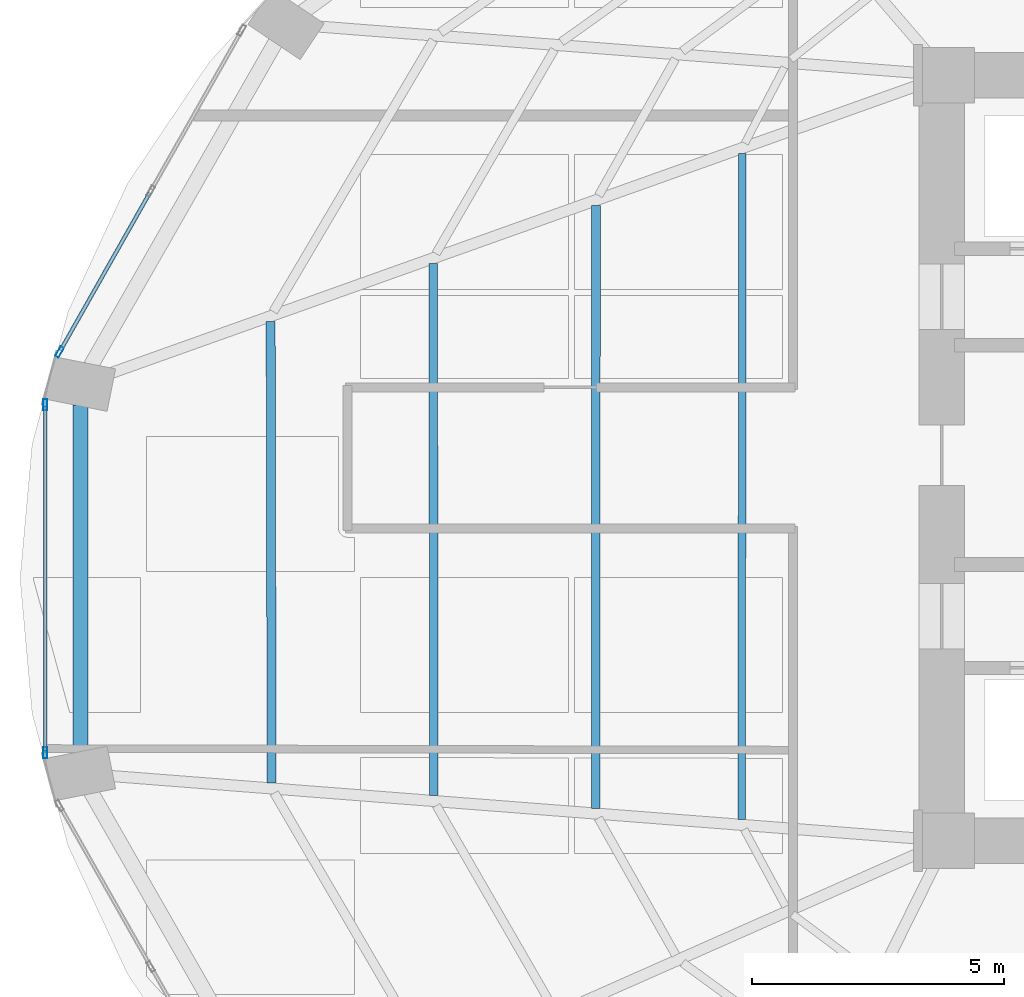
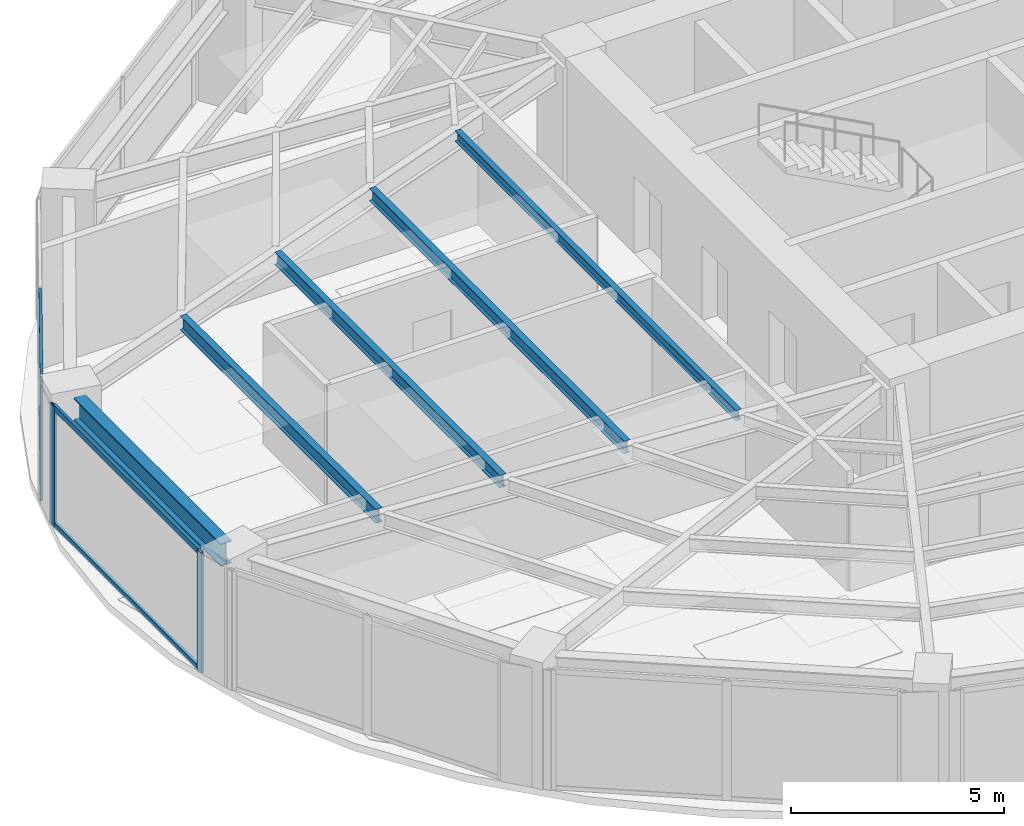
# One storey, part 7 of 24: 7 members, 5 beams, 2 elements without a shape of their own.
"""IFC4 building model written with IfcOpenShell, lengths in metres."""

from ifc_helpers import new_model, si_unit, direction, frame, origin, origin_2d, place, context, subcontext, project, spatial, hollow_rectangle, i_section, extrude, material, layer, layer_set, material_profile, profile_set, type_object, element, aggregate, save


model = new_model("IFC4")

# Units and contexts
model_context = context("Model", 3, precision=1e-05, world=origin(), true_north=direction((0.0, 1.0)))
body_context = subcontext(model_context, "Body", "Model", "MODEL_VIEW")
ifc_project = project(units=[si_unit("LENGTHUNIT", "METRE"), si_unit("AREAUNIT", "SQUARE_METRE"), si_unit("VOLUMEUNIT", "CUBIC_METRE"), si_unit("PLANEANGLEUNIT", "RADIAN"), si_unit("MASSUNIT", "GRAM", prefix="KILO")], contexts=[model_context])

# Site, building, storey
site_placement = place(None, origin())
site = spatial("IfcSite", under=ifc_project, at=site_placement, CompositionType="ELEMENT")
building_placement = place(site_placement, origin())
building = spatial("IfcBuilding", under=site, at=building_placement, Name="Lazwardi Medical Tower", CompositionType="ELEMENT")
storey_placement = place(building_placement, frame((0.0, 0.0, 58.031982421875)))
storey = spatial("IfcBuildingStorey", under=building, at=storey_placement, Name="L14", CompositionType="ELEMENT", Elevation=58.031982421875)

# Beams
ifc_material_1 = material(Name="Steel S355", Category="steel")
ifc_material_profile_1 = material_profile(ifc_material_1, i_section(OverallWidth=0.300048828125, OverallDepth=0.64990234375, WebThickness=0.01611328125, FlangeThickness=0.031005859375, at=origin_2d()), Name="HEB 650")
ifc_profile_set_1 = profile_set([ifc_material_profile_1], Name="Steel S355")
beam_type_1 = type_object("IfcBeamType", Name="BM-RB-Z1", PredefinedType="BEAM", material=ifc_profile_set_1)
beam_1_placement = place(storey_placement, frame((9.199951171875, 29.047607421875, 3.10302734375), z_axis=(0.0, -1.0, 0.0), x_axis=(1.0, 0.0, 0.0)))
element("IfcBeam", 1, at=beam_1_placement, inside=storey, type_object=beam_type_1, Name="Ring beam RB-02 B12 L14", PredefinedType="BEAM", context=body_context, shape_type="SweptSolid", body=[
    extrude(i_section(OverallWidth=0.300048828125, OverallDepth=0.64990234375, WebThickness=0.01611328125, FlangeThickness=0.031005859375, at=origin_2d()), origin(), (0.0, 0.0, 1.0), 6.895263671875),
])
ifc_material_profile_2 = material_profile(ifc_material_1, i_section(OverallWidth=0.179931640625, OverallDepth=0.39990234375, WebThickness=0.008544921875, FlangeThickness=0.013427734375, at=origin_2d()), Name="IPE 400")
ifc_profile_set_2 = profile_set([ifc_material_profile_2], Name="Steel S355")
beam_type_2 = type_object("IfcBeamType", Name="BM-SJ-01", PredefinedType="JOIST", material=ifc_profile_set_2)
beam_2_placement = place(storey_placement, frame((12.9765625, 30.708984375, 3.22802734375), z_axis=(0.002077613181, -0.999997841759, 0.0), x_axis=(0.999997841759, 0.002077613181, 0.0)))
element("IfcBeam", 2, at=beam_2_placement, inside=storey, type_object=beam_type_2, Name="Secondary joist SJ-01 R1 B12 L14", PredefinedType="JOIST", context=body_context, shape_type="SweptSolid", body=[
    extrude(i_section(OverallWidth=0.179931640625, OverallDepth=0.39990234375, WebThickness=0.008544921875, FlangeThickness=0.013427734375, at=origin_2d()), origin(), (0.0, 0.0, 1.0), 9.165771484375),
])
ifc_material_profile_3 = material_profile(ifc_material_1, i_section(OverallWidth=0.169921875, OverallDepth=0.360107421875, WebThickness=0.008056640625, FlangeThickness=0.0126953125, at=origin_2d()), Name="IPE 360")
ifc_profile_set_3 = profile_set([ifc_material_profile_3], Name="Steel S355")
beam_type_3 = type_object("IfcBeamType", Name="BM-SJ-02", PredefinedType="JOIST", material=ifc_profile_set_3)
beam_3_placement = place(storey_placement, frame((16.206298828125, 31.860595703125, 3.248046875), z_axis=(0.000670039821, -0.999999775523, 0.0), x_axis=(0.999999775523, 0.000670039821, 0.0)))
element("IfcBeam", 3, at=beam_3_placement, inside=storey, type_object=beam_type_3, Name="Secondary joist SJ-02 R2 B12 L14", PredefinedType="JOIST", context=body_context, shape_type="SweptSolid", body=[
    extrude(i_section(OverallWidth=0.169921875, OverallDepth=0.360107421875, WebThickness=0.008056640625, FlangeThickness=0.0126953125, at=origin_2d()), origin(), (0.0, 0.0, 1.0), 10.566650390625),
])
beam_4_placement = place(storey_placement, frame((19.43603515625, 33.01220703125, 3.248046875), z_axis=(-0.000387612685, -0.999999924878, 0.0), x_axis=(0.999999924878, -0.000387612685, 0.0)))
element("IfcBeam", 4, at=beam_4_placement, inside=storey, type_object=beam_type_3, Name="Secondary joist SJ-02 R3 B12 L14", PredefinedType="JOIST", context=body_context, shape_type="SweptSolid", body=[
    extrude(i_section(OverallWidth=0.169921875, OverallDepth=0.360107421875, WebThickness=0.008056640625, FlangeThickness=0.0126953125, at=origin_2d()), origin(), (0.0, 0.0, 1.0), 11.96728515625),
])
ifc_material_profile_4 = material_profile(ifc_material_1, i_section(OverallWidth=0.14990234375, OverallDepth=0.300048828125, WebThickness=0.007080078125, FlangeThickness=0.0107421875, at=origin_2d()), Name="IPE 300")
ifc_profile_set_4 = profile_set([ifc_material_profile_4], Name="Steel S355")
beam_type_4 = type_object("IfcBeamType", Name="BM-SJ-03", PredefinedType="JOIST", material=ifc_profile_set_4)
beam_5_placement = place(storey_placement, frame((22.343017578125, 34.048583984375, 3.278076171875), z_axis=(-0.001181203266, -0.999999302379, 0.0), x_axis=(0.999999302379, -0.001181203266, 0.0)))
element("IfcBeam", 5, at=beam_5_placement, inside=storey, type_object=beam_type_4, Name="Secondary joist SJ-03 R4 B12 L14", PredefinedType="JOIST", context=body_context, shape_type="SweptSolid", body=[
    extrude(i_section(OverallWidth=0.14990234375, OverallDepth=0.300048828125, WebThickness=0.007080078125, FlangeThickness=0.0107421875, at=origin_2d()), origin(), (0.0, 0.0, 1.0), 13.22802734375),
])

# Curtain wall, member
ifc_material_2 = material(Name="Anodised bronze aluminium and solar control glazing", Category="aluminium")
ifc_layer = layer(ifc_material_2, 0.199951171875)
ifc_layer_set = layer_set([ifc_layer], Name="Anodised bronze aluminium and solar control glazing")
curtain_wall_type = type_object("IfcCurtainWallType", Name="CW-SYS-02", PredefinedType="NOTDEFINED", material=ifc_layer_set)
curtain_wall_1_placement = place(storey_placement, origin())
curtain_wall_1 = element("IfcCurtainWall", 6, at=curtain_wall_1_placement, inside=storey, type_object=curtain_wall_type, Name="L14 Unitised bronze curtain wall CW-02", PredefinedType="NOTDEFINED")
ifc_material_3 = material(Name="Anodised bronze aluminium", Category="aluminium")
ifc_material_profile_5 = material_profile(ifc_material_3, hollow_rectangle(XDim=0.074951171875, YDim=0.219970703125, WallThickness=0.00390625, at=origin_2d()), Name="ALU-MULLION 220x75x4")
ifc_profile_set_5 = profile_set([ifc_material_profile_5], Name="Anodised bronze aluminium")
member_type_1 = type_object("IfcMemberType", Name="CW-MUL-01", PredefinedType="MULLION", material=ifc_profile_set_5)
member_1_placement = place(storey_placement, frame((8.785888671875, 30.102294921875, 0.0), z_axis=(0.0, 0.0, 1.0), x_axis=(0.870111838823, -0.492854327303, 0.0)))
member_1 = element("IfcMember", 7, at=member_1_placement, type_object=member_type_1, Name="CW-02 mullion 3", PredefinedType="MULLION", context=body_context, shape_type="SweptSolid", body=[
    extrude(hollow_rectangle(XDim=0.074951171875, YDim=0.219970703125, WallThickness=0.00390625, at=origin_2d()), origin(), (0.0, 0.0, 1.0), 3.427978515625),
])

# Curtain wall, members
curtain_wall_2_placement = place(storey_placement, origin())
curtain_wall_2 = element("IfcCurtainWall", 8, at=curtain_wall_2_placement, inside=storey, type_object=curtain_wall_type, Name="L14 Unitised bronze curtain wall CW-02", PredefinedType="NOTDEFINED")
member_2_placement = place(storey_placement, frame((8.50146484375, 29.053955078125, 0.0), z_axis=(0.0, 0.0, 1.0), x_axis=(1.0, 0.0, 0.0)))
member_2 = element("IfcMember", 9, at=member_2_placement, type_object=member_type_1, Name="CW-02 mullion 1", PredefinedType="MULLION", context=body_context, shape_type="SweptSolid", body=[
    extrude(hollow_rectangle(XDim=0.074951171875, YDim=0.219970703125, WallThickness=0.00390625, at=origin_2d()), origin(), (0.0, 0.0, 1.0), 3.427978515625),
])
member_3_placement = place(storey_placement, frame((8.50146484375, 22.14599609375, 0.0), z_axis=(0.0, 0.0, 1.0), x_axis=(1.0, 0.0, 0.0)))
member_3 = element("IfcMember", 10, at=member_3_placement, type_object=member_type_1, Name="CW-02 mullion 2", PredefinedType="MULLION", context=body_context, shape_type="SweptSolid", body=[
    extrude(hollow_rectangle(XDim=0.074951171875, YDim=0.219970703125, WallThickness=0.00390625, at=origin_2d()), origin(), (0.0, 0.0, 1.0), 3.427978515625),
])

# Member
ifc_material_profile_6 = material_profile(ifc_material_3, hollow_rectangle(XDim=0.074951171875, YDim=0.159912109375, WallThickness=0.00390625, at=origin_2d()), Name="ALU-TRANSOM 160x75x4")
ifc_profile_set_6 = profile_set([ifc_material_profile_6], Name="Anodised bronze aluminium")
member_type_2 = type_object("IfcMemberType", Name="CW-TRN-01", PredefinedType="USERDEFINED", material=ifc_profile_set_6)
member_4_placement = place(storey_placement, frame((10.576171875, 33.262939453125, 0.03759765625), z_axis=(-0.49285148925, -0.870113446365, 0.0), x_axis=(0.870113446365, -0.49285148925, 0.0)))
member_4 = element("IfcMember", 11, at=member_4_placement, type_object=member_type_2, Name="CW-02 transom 2.1", ObjectType="TRANSOM", PredefinedType="USERDEFINED", context=body_context, shape_type="SweptSolid", body=[
    extrude(hollow_rectangle(XDim=0.074951171875, YDim=0.159912109375, WallThickness=0.00390625, at=origin_2d()), origin(), (0.0, 0.0, 1.0), 3.594970703125),
])

member_5_placement = place(storey_placement, frame((10.576171875, 33.262939453125, 3.390625), z_axis=(-0.49285148925, -0.870113446365, 0.0), x_axis=(0.870113446365, -0.49285148925, 0.0)))
member_5 = element("IfcMember", 12, at=member_5_placement, type_object=member_type_2, Name="CW-02 transom 2.2", ObjectType="TRANSOM", PredefinedType="USERDEFINED", context=body_context, shape_type="SweptSolid", body=[
    extrude(hollow_rectangle(XDim=0.074951171875, YDim=0.159912109375, WallThickness=0.00390625, at=origin_2d()), origin(), (0.0, 0.0, 1.0), 3.594970703125),
])

aggregate(curtain_wall_1, [member_1, member_4, member_5])

member_6_placement = place(storey_placement, frame((8.50146484375, 29.0166015625, 0.03759765625), z_axis=(0.0, -1.0, 0.0), x_axis=(1.0, 0.0, 0.0)))
member_6 = element("IfcMember", 13, at=member_6_placement, type_object=member_type_2, Name="CW-02 transom 1.1", ObjectType="TRANSOM", PredefinedType="USERDEFINED", context=body_context, shape_type="SweptSolid", body=[
    extrude(hollow_rectangle(XDim=0.074951171875, YDim=0.159912109375, WallThickness=0.00390625, at=origin_2d()), origin(), (0.0, 0.0, 1.0), 6.8330078125),
])

member_7_placement = place(storey_placement, frame((8.50146484375, 29.0166015625, 3.390625), z_axis=(0.0, -1.0, 0.0), x_axis=(1.0, 0.0, 0.0)))
member_7 = element("IfcMember", 14, at=member_7_placement, type_object=member_type_2, Name="CW-02 transom 1.2", ObjectType="TRANSOM", PredefinedType="USERDEFINED", context=body_context, shape_type="SweptSolid", body=[
    extrude(hollow_rectangle(XDim=0.074951171875, YDim=0.159912109375, WallThickness=0.00390625, at=origin_2d()), origin(), (0.0, 0.0, 1.0), 6.8330078125),
])

aggregate(curtain_wall_2, [member_2, member_3, member_6, member_7])

save(model, "model.ifc")
